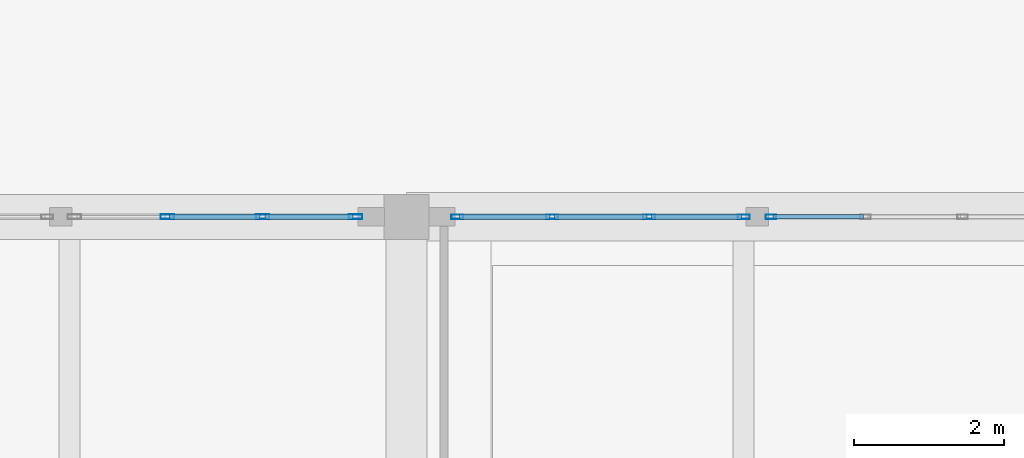
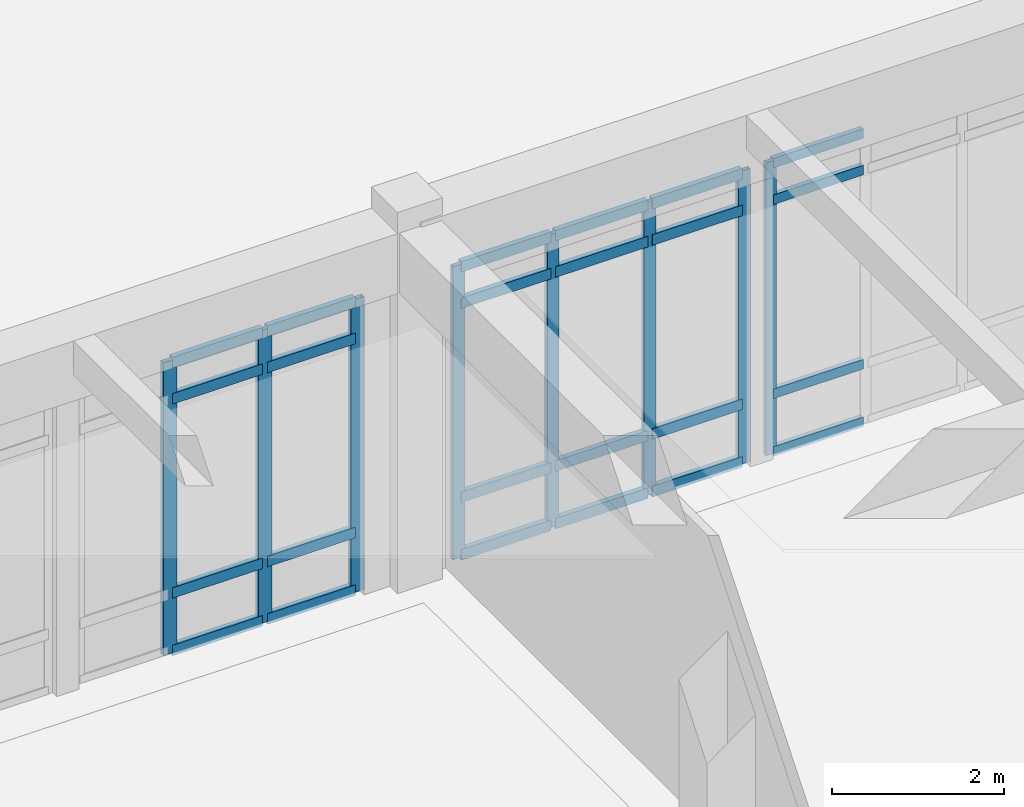
# One storey, part 25 of 138: 32 members, 3 elements without a shape of their own.
"""IFC4 building model written with IfcOpenShell, lengths in metres."""

from ifc_helpers import new_model, si_unit, direction, frame, origin, origin_2d, place, context, subcontext, project, spatial, hollow_rectangle, extrude, material, layer, layer_set, material_profile, profile_set, type_object, element, aggregate, save


model = new_model("IFC4")

# Units and contexts
model_context = context("Model", 3, precision=1e-05, world=origin(), true_north=direction((0.0, 1.0)))
body_context = subcontext(model_context, "Body", "Model", "MODEL_VIEW")
ifc_project = project(units=[si_unit("LENGTHUNIT", "METRE"), si_unit("AREAUNIT", "SQUARE_METRE"), si_unit("VOLUMEUNIT", "CUBIC_METRE"), si_unit("PLANEANGLEUNIT", "RADIAN"), si_unit("MASSUNIT", "GRAM", prefix="KILO")], contexts=[model_context])

# Site, building, storey
site_placement = place(None, origin())
site = spatial("IfcSite", under=ifc_project, at=site_placement, CompositionType="ELEMENT")
building_placement = place(site_placement, origin())
building = spatial("IfcBuilding", under=site, at=building_placement, Name="Fikremerkos Civic Library", CompositionType="ELEMENT")
storey_placement = place(building_placement, origin())
storey = spatial("IfcBuildingStorey", under=building, at=storey_placement, Name="L00", CompositionType="ELEMENT", Elevation=0.0)

# Curtain wall, members
ifc_material = material(Name="Anodized aluminium Frame", Category="aluminium")
ifc_layer_1 = layer(ifc_material, 0.159912109375, Name="Anodized aluminium Frame")
ifc_layer_set_1 = layer_set([ifc_layer_1], Name="Anodized aluminium Frame")
curtain_wall_type_1 = type_object("IfcCurtainWallType", Name="Unitised curtain wall CW-01 3600x3600", PredefinedType="USERDEFINED", material=ifc_layer_set_1)
curtain_wall_1_placement = place(storey_placement, origin())
curtain_wall_1 = element("IfcCurtainWall", 1, at=curtain_wall_1_placement, inside=storey, type_object=curtain_wall_type_1, Name="Unitised curtain wall CW-01 L00 #19", ObjectType="UNITISED CURTAIN WALL", PredefinedType="USERDEFINED")
ifc_material_profile_1 = material_profile(ifc_material, hollow_rectangle(XDim=0.06494140625, YDim=0.179931640625, WallThickness=0.00439453125, at=origin_2d()), Name="ALU 180x65x4.5")
ifc_profile_set_1 = profile_set([ifc_material_profile_1], Name="Anodized aluminium Frame")
member_type_1 = type_object("IfcMemberType", Name="Curtain mullion CWM-01 ALU 180x65x4.5", PredefinedType="MULLION", material=ifc_profile_set_1)
member_1_placement = place(storey_placement, frame((97.006591796875, 48.0, 0.0), z_axis=(0.0, 0.0, 1.0), x_axis=(0.0, 1.0, 0.0)))
member_1 = element("IfcMember", 2, at=member_1_placement, type_object=member_type_1, Name="CW-01 mullion 2", PredefinedType="MULLION", context=body_context, shape_type="SweptSolid", body=[
    extrude(hollow_rectangle(XDim=0.06494140625, YDim=0.179931640625, WallThickness=0.00439453125, at=origin_2d()), origin(), (0.0, 0.0, 1.0), 4.14990234375),
])
member_2_placement = place(storey_placement, frame((98.279296875, 48.0, 0.0), z_axis=(0.0, 0.0, 1.0), x_axis=(0.0, 1.0, 0.0)))
member_2 = element("IfcMember", 3, at=member_2_placement, type_object=member_type_1, Name="CW-01 mullion 3", PredefinedType="MULLION", context=body_context, shape_type="SweptSolid", body=[
    extrude(hollow_rectangle(XDim=0.06494140625, YDim=0.179931640625, WallThickness=0.00439453125, at=origin_2d()), origin(), (0.0, 0.0, 1.0), 4.14990234375),
])
member_3_placement = place(storey_placement, frame((99.51953125, 48.0, 0.0), z_axis=(0.0, 0.0, 1.0), x_axis=(0.0, 1.0, 0.0)))
member_3 = element("IfcMember", 4, at=member_3_placement, type_object=member_type_1, Name="CW-01 mullion 4", PredefinedType="MULLION", context=body_context, shape_type="SweptSolid", body=[
    extrude(hollow_rectangle(XDim=0.06494140625, YDim=0.179931640625, WallThickness=0.00439453125, at=origin_2d()), origin(), (0.0, 0.0, 1.0), 4.14990234375),
])

ifc_layer_2 = layer(ifc_material, 0.159912109375, Name="Anodized aluminium Frame")
ifc_layer_set_2 = layer_set([ifc_layer_2], Name="Anodized aluminium Frame")
curtain_wall_type_2 = type_object("IfcCurtainWallType", Name="Unitised curtain wall CW-02 3900x3600", PredefinedType="USERDEFINED", material=ifc_layer_set_2)
curtain_wall_2_placement = place(storey_placement, origin())
curtain_wall_2 = element("IfcCurtainWall", 5, at=curtain_wall_2_placement, inside=storey, type_object=curtain_wall_type_2, Name="Unitised curtain wall CW-02 L00 #20", ObjectType="UNITISED CURTAIN WALL", PredefinedType="USERDEFINED")
ifc_material_profile_2 = material_profile(ifc_material, hollow_rectangle(XDim=0.06005859375, YDim=0.159912109375, WallThickness=0.00390625, at=origin_2d()), Name="ALU 160x60x4")
ifc_profile_set_2 = profile_set([ifc_material_profile_2], Name="Anodized aluminium Frame")
member_type_2 = type_object("IfcMemberType", Name="Curtain mullion CWM-02 ALU 160x60x4", PredefinedType="MULLION", material=ifc_profile_set_2)
member_4_placement = place(storey_placement, frame((100.8779296875, 48.0, 0.0), z_axis=(0.0, 0.0, 1.0), x_axis=(0.0, 1.0, 0.0)))
member_4 = element("IfcMember", 6, at=member_4_placement, type_object=member_type_2, Name="CW-02 mullion 1", PredefinedType="MULLION", context=body_context, shape_type="SweptSolid", body=[
    extrude(hollow_rectangle(XDim=0.06005859375, YDim=0.159912109375, WallThickness=0.00390625, at=origin_2d()), origin(), (0.0, 0.0, 1.0), 4.14990234375),
])
member_5_placement = place(storey_placement, frame((102.142822265625, 48.0, 0.0), z_axis=(0.0, 0.0, 1.0), x_axis=(0.0, 1.0, 0.0)))
member_5 = element("IfcMember", 7, at=member_5_placement, type_object=member_type_2, Name="CW-02 mullion 2", PredefinedType="MULLION", context=body_context, shape_type="SweptSolid", body=[
    extrude(hollow_rectangle(XDim=0.06005859375, YDim=0.159912109375, WallThickness=0.00390625, at=origin_2d()), origin(), (0.0, 0.0, 1.0), 4.14990234375),
])
member_6_placement = place(storey_placement, frame((103.437744140625, 48.0, 0.0), z_axis=(0.0, 0.0, 1.0), x_axis=(0.0, 1.0, 0.0)))
member_6 = element("IfcMember", 8, at=member_6_placement, type_object=member_type_2, Name="CW-02 mullion 3", PredefinedType="MULLION", context=body_context, shape_type="SweptSolid", body=[
    extrude(hollow_rectangle(XDim=0.06005859375, YDim=0.159912109375, WallThickness=0.00390625, at=origin_2d()), origin(), (0.0, 0.0, 1.0), 4.14990234375),
])
member_7_placement = place(storey_placement, frame((104.70263671875, 48.0, 0.0), z_axis=(0.0, 0.0, 1.0), x_axis=(0.0, 1.0, 0.0)))
member_7 = element("IfcMember", 9, at=member_7_placement, type_object=member_type_2, Name="CW-02 mullion 4", PredefinedType="MULLION", context=body_context, shape_type="SweptSolid", body=[
    extrude(hollow_rectangle(XDim=0.06005859375, YDim=0.159912109375, WallThickness=0.00390625, at=origin_2d()), origin(), (0.0, 0.0, 1.0), 4.14990234375),
])

# Curtain wall, member
ifc_layer_3 = layer(ifc_material, 0.159912109375, Name="Anodized aluminium Frame")
ifc_layer_set_3 = layer_set([ifc_layer_3], Name="Anodized aluminium Frame")
curtain_wall_type_3 = type_object("IfcCurtainWallType", Name="Unitised curtain wall CW-03 4100x3600", PredefinedType="USERDEFINED", material=ifc_layer_set_3)
curtain_wall_3_placement = place(storey_placement, origin())
curtain_wall_3 = element("IfcCurtainWall", 10, at=curtain_wall_3_placement, inside=storey, type_object=curtain_wall_type_3, Name="Unitised curtain wall CW-03 L00 #21", ObjectType="UNITISED CURTAIN WALL", PredefinedType="USERDEFINED")
ifc_material_profile_3 = material_profile(ifc_material, hollow_rectangle(XDim=0.06005859375, YDim=0.139892578125, WallThickness=0.00390625, at=origin_2d()), Name="ALU 140x60x4")
ifc_profile_set_3 = profile_set([ifc_material_profile_3], Name="Anodized aluminium Frame")
member_type_3 = type_object("IfcMemberType", Name="Curtain mullion CWM-03 ALU 140x60x4", PredefinedType="MULLION", material=ifc_profile_set_3)
member_8_placement = place(storey_placement, frame((105.062744140625, 48.0, 0.0), z_axis=(0.0, 0.0, 1.0), x_axis=(0.0, 1.0, 0.0)))
member_8 = element("IfcMember", 11, at=member_8_placement, type_object=member_type_3, Name="CW-03 mullion 1", PredefinedType="MULLION", context=body_context, shape_type="SweptSolid", body=[
    extrude(hollow_rectangle(XDim=0.06005859375, YDim=0.139892578125, WallThickness=0.00390625, at=origin_2d()), origin(), (0.0, 0.0, 1.0), 4.14990234375),
])

# Member
ifc_material_profile_4 = material_profile(ifc_material, hollow_rectangle(XDim=0.070068359375, YDim=0.14990234375, WallThickness=0.00439453125, at=origin_2d()), Name="ALU 150x70x4.5")
ifc_profile_set_4 = profile_set([ifc_material_profile_4], Name="Anodized aluminium Frame")
member_type_4 = type_object("IfcMemberType", Name="Curtain transom CWT-01 ALU 150x70x4.5", PredefinedType="USERDEFINED", material=ifc_profile_set_4)
member_9_placement = place(storey_placement, frame((97.0390625, 48.0, 0.034912109375), z_axis=(1.0, 0.0, 0.0), x_axis=(0.0, 1.0, 0.0)))
member_9 = element("IfcMember", 12, at=member_9_placement, type_object=member_type_4, Name="CW-01 transom 2.1", ObjectType="TRANSOM", PredefinedType="USERDEFINED", context=body_context, shape_type="SweptSolid", body=[
    extrude(hollow_rectangle(XDim=0.070068359375, YDim=0.14990234375, WallThickness=0.00439453125, at=origin_2d()), origin(), (0.0, 0.0, 1.0), 1.207763671875),
])

member_10_placement = place(storey_placement, frame((97.0390625, 48.0, 0.85009765625), z_axis=(1.0, 0.0, 0.0), x_axis=(0.0, 1.0, 0.0)))
member_10 = element("IfcMember", 13, at=member_10_placement, type_object=member_type_4, Name="CW-01 transom 2.2", ObjectType="TRANSOM", PredefinedType="USERDEFINED", context=body_context, shape_type="SweptSolid", body=[
    extrude(hollow_rectangle(XDim=0.070068359375, YDim=0.14990234375, WallThickness=0.00439453125, at=origin_2d()), origin(), (0.0, 0.0, 1.0), 1.207763671875),
])

member_11_placement = place(storey_placement, frame((97.0390625, 48.0, 3.60009765625), z_axis=(1.0, 0.0, 0.0), x_axis=(0.0, 1.0, 0.0)))
member_11 = element("IfcMember", 14, at=member_11_placement, type_object=member_type_4, Name="CW-01 transom 2.3", ObjectType="TRANSOM", PredefinedType="USERDEFINED", context=body_context, shape_type="SweptSolid", body=[
    extrude(hollow_rectangle(XDim=0.070068359375, YDim=0.14990234375, WallThickness=0.00439453125, at=origin_2d()), origin(), (0.0, 0.0, 1.0), 1.207763671875),
])

member_12_placement = place(storey_placement, frame((97.0390625, 48.0, 4.114990234375), z_axis=(1.0, 0.0, 0.0), x_axis=(0.0, 1.0, 0.0)))
member_12 = element("IfcMember", 15, at=member_12_placement, type_object=member_type_4, Name="CW-01 transom 2.4", ObjectType="TRANSOM", PredefinedType="USERDEFINED", context=body_context, shape_type="SweptSolid", body=[
    extrude(hollow_rectangle(XDim=0.070068359375, YDim=0.14990234375, WallThickness=0.00439453125, at=origin_2d()), origin(), (0.0, 0.0, 1.0), 1.207763671875),
])

member_13_placement = place(storey_placement, frame((98.311767578125, 48.0, 0.034912109375), z_axis=(1.0, 0.0, 0.0), x_axis=(0.0, 1.0, 0.0)))
member_13 = element("IfcMember", 16, at=member_13_placement, type_object=member_type_4, Name="CW-01 transom 3.1", ObjectType="TRANSOM", PredefinedType="USERDEFINED", context=body_context, shape_type="SweptSolid", body=[
    extrude(hollow_rectangle(XDim=0.070068359375, YDim=0.14990234375, WallThickness=0.00439453125, at=origin_2d()), origin(), (0.0, 0.0, 1.0), 1.17529296875),
])

member_14_placement = place(storey_placement, frame((98.311767578125, 48.0, 0.85009765625), z_axis=(1.0, 0.0, 0.0), x_axis=(0.0, 1.0, 0.0)))
member_14 = element("IfcMember", 17, at=member_14_placement, type_object=member_type_4, Name="CW-01 transom 3.2", ObjectType="TRANSOM", PredefinedType="USERDEFINED", context=body_context, shape_type="SweptSolid", body=[
    extrude(hollow_rectangle(XDim=0.070068359375, YDim=0.14990234375, WallThickness=0.00439453125, at=origin_2d()), origin(), (0.0, 0.0, 1.0), 1.17529296875),
])

member_15_placement = place(storey_placement, frame((98.311767578125, 48.0, 3.60009765625), z_axis=(1.0, 0.0, 0.0), x_axis=(0.0, 1.0, 0.0)))
member_15 = element("IfcMember", 18, at=member_15_placement, type_object=member_type_4, Name="CW-01 transom 3.3", ObjectType="TRANSOM", PredefinedType="USERDEFINED", context=body_context, shape_type="SweptSolid", body=[
    extrude(hollow_rectangle(XDim=0.070068359375, YDim=0.14990234375, WallThickness=0.00439453125, at=origin_2d()), origin(), (0.0, 0.0, 1.0), 1.17529296875),
])

member_16_placement = place(storey_placement, frame((98.311767578125, 48.0, 4.114990234375), z_axis=(1.0, 0.0, 0.0), x_axis=(0.0, 1.0, 0.0)))
member_16 = element("IfcMember", 19, at=member_16_placement, type_object=member_type_4, Name="CW-01 transom 3.4", ObjectType="TRANSOM", PredefinedType="USERDEFINED", context=body_context, shape_type="SweptSolid", body=[
    extrude(hollow_rectangle(XDim=0.070068359375, YDim=0.14990234375, WallThickness=0.00439453125, at=origin_2d()), origin(), (0.0, 0.0, 1.0), 1.17529296875),
])

aggregate(curtain_wall_1, [member_1, member_2, member_3, member_9, member_10, member_11, member_12, member_13, member_14, member_15, member_16])

member_17_placement = place(storey_placement, frame((100.907958984375, 48.0, 0.034912109375), z_axis=(1.0, 0.0, 0.0), x_axis=(0.0, 1.0, 0.0)))
member_17 = element("IfcMember", 20, at=member_17_placement, type_object=member_type_4, Name="CW-02 transom 1.1", ObjectType="TRANSOM", PredefinedType="USERDEFINED", context=body_context, shape_type="SweptSolid", body=[
    extrude(hollow_rectangle(XDim=0.070068359375, YDim=0.14990234375, WallThickness=0.00439453125, at=origin_2d()), origin(), (0.0, 0.0, 1.0), 1.204833984375),
])

member_18_placement = place(storey_placement, frame((100.907958984375, 48.0, 0.85009765625), z_axis=(1.0, 0.0, 0.0), x_axis=(0.0, 1.0, 0.0)))
member_18 = element("IfcMember", 21, at=member_18_placement, type_object=member_type_4, Name="CW-02 transom 1.2", ObjectType="TRANSOM", PredefinedType="USERDEFINED", context=body_context, shape_type="SweptSolid", body=[
    extrude(hollow_rectangle(XDim=0.070068359375, YDim=0.14990234375, WallThickness=0.00439453125, at=origin_2d()), origin(), (0.0, 0.0, 1.0), 1.204833984375),
])

member_19_placement = place(storey_placement, frame((100.907958984375, 48.0, 3.60009765625), z_axis=(1.0, 0.0, 0.0), x_axis=(0.0, 1.0, 0.0)))
member_19 = element("IfcMember", 22, at=member_19_placement, type_object=member_type_4, Name="CW-02 transom 1.3", ObjectType="TRANSOM", PredefinedType="USERDEFINED", context=body_context, shape_type="SweptSolid", body=[
    extrude(hollow_rectangle(XDim=0.070068359375, YDim=0.14990234375, WallThickness=0.00439453125, at=origin_2d()), origin(), (0.0, 0.0, 1.0), 1.204833984375),
])

member_20_placement = place(storey_placement, frame((100.907958984375, 48.0, 4.114990234375), z_axis=(1.0, 0.0, 0.0), x_axis=(0.0, 1.0, 0.0)))
member_20 = element("IfcMember", 23, at=member_20_placement, type_object=member_type_4, Name="CW-02 transom 1.4", ObjectType="TRANSOM", PredefinedType="USERDEFINED", context=body_context, shape_type="SweptSolid", body=[
    extrude(hollow_rectangle(XDim=0.070068359375, YDim=0.14990234375, WallThickness=0.00439453125, at=origin_2d()), origin(), (0.0, 0.0, 1.0), 1.204833984375),
])

member_21_placement = place(storey_placement, frame((102.1728515625, 48.0, 0.034912109375), z_axis=(1.0, 0.0, 0.0), x_axis=(0.0, 1.0, 0.0)))
member_21 = element("IfcMember", 24, at=member_21_placement, type_object=member_type_4, Name="CW-02 transom 2.1", ObjectType="TRANSOM", PredefinedType="USERDEFINED", context=body_context, shape_type="SweptSolid", body=[
    extrude(hollow_rectangle(XDim=0.070068359375, YDim=0.14990234375, WallThickness=0.00439453125, at=origin_2d()), origin(), (0.0, 0.0, 1.0), 1.23486328125),
])

member_22_placement = place(storey_placement, frame((102.1728515625, 48.0, 0.85009765625), z_axis=(1.0, 0.0, 0.0), x_axis=(0.0, 1.0, 0.0)))
member_22 = element("IfcMember", 25, at=member_22_placement, type_object=member_type_4, Name="CW-02 transom 2.2", ObjectType="TRANSOM", PredefinedType="USERDEFINED", context=body_context, shape_type="SweptSolid", body=[
    extrude(hollow_rectangle(XDim=0.070068359375, YDim=0.14990234375, WallThickness=0.00439453125, at=origin_2d()), origin(), (0.0, 0.0, 1.0), 1.23486328125),
])

member_23_placement = place(storey_placement, frame((102.1728515625, 48.0, 3.60009765625), z_axis=(1.0, 0.0, 0.0), x_axis=(0.0, 1.0, 0.0)))
member_23 = element("IfcMember", 26, at=member_23_placement, type_object=member_type_4, Name="CW-02 transom 2.3", ObjectType="TRANSOM", PredefinedType="USERDEFINED", context=body_context, shape_type="SweptSolid", body=[
    extrude(hollow_rectangle(XDim=0.070068359375, YDim=0.14990234375, WallThickness=0.00439453125, at=origin_2d()), origin(), (0.0, 0.0, 1.0), 1.23486328125),
])

member_24_placement = place(storey_placement, frame((102.1728515625, 48.0, 4.114990234375), z_axis=(1.0, 0.0, 0.0), x_axis=(0.0, 1.0, 0.0)))
member_24 = element("IfcMember", 27, at=member_24_placement, type_object=member_type_4, Name="CW-02 transom 2.4", ObjectType="TRANSOM", PredefinedType="USERDEFINED", context=body_context, shape_type="SweptSolid", body=[
    extrude(hollow_rectangle(XDim=0.070068359375, YDim=0.14990234375, WallThickness=0.00439453125, at=origin_2d()), origin(), (0.0, 0.0, 1.0), 1.23486328125),
])

member_25_placement = place(storey_placement, frame((103.4677734375, 48.0, 0.034912109375), z_axis=(1.0, 0.0, 0.0), x_axis=(0.0, 1.0, 0.0)))
member_25 = element("IfcMember", 28, at=member_25_placement, type_object=member_type_4, Name="CW-02 transom 3.1", ObjectType="TRANSOM", PredefinedType="USERDEFINED", context=body_context, shape_type="SweptSolid", body=[
    extrude(hollow_rectangle(XDim=0.070068359375, YDim=0.14990234375, WallThickness=0.00439453125, at=origin_2d()), origin(), (0.0, 0.0, 1.0), 1.204833984375),
])

member_26_placement = place(storey_placement, frame((103.4677734375, 48.0, 0.85009765625), z_axis=(1.0, 0.0, 0.0), x_axis=(0.0, 1.0, 0.0)))
member_26 = element("IfcMember", 29, at=member_26_placement, type_object=member_type_4, Name="CW-02 transom 3.2", ObjectType="TRANSOM", PredefinedType="USERDEFINED", context=body_context, shape_type="SweptSolid", body=[
    extrude(hollow_rectangle(XDim=0.070068359375, YDim=0.14990234375, WallThickness=0.00439453125, at=origin_2d()), origin(), (0.0, 0.0, 1.0), 1.204833984375),
])

member_27_placement = place(storey_placement, frame((103.4677734375, 48.0, 3.60009765625), z_axis=(1.0, 0.0, 0.0), x_axis=(0.0, 1.0, 0.0)))
member_27 = element("IfcMember", 30, at=member_27_placement, type_object=member_type_4, Name="CW-02 transom 3.3", ObjectType="TRANSOM", PredefinedType="USERDEFINED", context=body_context, shape_type="SweptSolid", body=[
    extrude(hollow_rectangle(XDim=0.070068359375, YDim=0.14990234375, WallThickness=0.00439453125, at=origin_2d()), origin(), (0.0, 0.0, 1.0), 1.204833984375),
])

member_28_placement = place(storey_placement, frame((103.4677734375, 48.0, 4.114990234375), z_axis=(1.0, 0.0, 0.0), x_axis=(0.0, 1.0, 0.0)))
member_28 = element("IfcMember", 31, at=member_28_placement, type_object=member_type_4, Name="CW-02 transom 3.4", ObjectType="TRANSOM", PredefinedType="USERDEFINED", context=body_context, shape_type="SweptSolid", body=[
    extrude(hollow_rectangle(XDim=0.070068359375, YDim=0.14990234375, WallThickness=0.00439453125, at=origin_2d()), origin(), (0.0, 0.0, 1.0), 1.204833984375),
])

aggregate(curtain_wall_2, [member_4, member_5, member_6, member_7, member_17, member_18, member_19, member_20, member_21, member_22, member_23, member_24, member_25, member_26, member_27, member_28])

ifc_material_profile_5 = material_profile(ifc_material, hollow_rectangle(XDim=0.06494140625, YDim=0.135009765625, WallThickness=0.00439453125, at=origin_2d()), Name="ALU 135x65x4.5")
ifc_profile_set_5 = profile_set([ifc_material_profile_5], Name="Anodized aluminium Frame")
member_type_5 = type_object("IfcMemberType", Name="Curtain transom CWT-02 ALU 135x65x4.5", PredefinedType="USERDEFINED", material=ifc_profile_set_5)
member_29_placement = place(storey_placement, frame((105.0927734375, 48.0, 0.032470703125), z_axis=(1.0, 0.0, 0.0), x_axis=(0.0, 1.0, 0.0)))
member_29 = element("IfcMember", 32, at=member_29_placement, type_object=member_type_5, Name="CW-03 transom 1.1", ObjectType="TRANSOM", PredefinedType="USERDEFINED", context=body_context, shape_type="SweptSolid", body=[
    extrude(hollow_rectangle(XDim=0.06494140625, YDim=0.135009765625, WallThickness=0.00439453125, at=origin_2d()), origin(), (0.0, 0.0, 1.0), 1.204833984375),
])

member_30_placement = place(storey_placement, frame((105.0927734375, 48.0, 0.85009765625), z_axis=(1.0, 0.0, 0.0), x_axis=(0.0, 1.0, 0.0)))
member_30 = element("IfcMember", 33, at=member_30_placement, type_object=member_type_5, Name="CW-03 transom 1.2", ObjectType="TRANSOM", PredefinedType="USERDEFINED", context=body_context, shape_type="SweptSolid", body=[
    extrude(hollow_rectangle(XDim=0.06494140625, YDim=0.135009765625, WallThickness=0.00439453125, at=origin_2d()), origin(), (0.0, 0.0, 1.0), 1.204833984375),
])

member_31_placement = place(storey_placement, frame((105.0927734375, 48.0, 3.60009765625), z_axis=(1.0, 0.0, 0.0), x_axis=(0.0, 1.0, 0.0)))
member_31 = element("IfcMember", 34, at=member_31_placement, type_object=member_type_5, Name="CW-03 transom 1.3", ObjectType="TRANSOM", PredefinedType="USERDEFINED", context=body_context, shape_type="SweptSolid", body=[
    extrude(hollow_rectangle(XDim=0.06494140625, YDim=0.135009765625, WallThickness=0.00439453125, at=origin_2d()), origin(), (0.0, 0.0, 1.0), 1.204833984375),
])

member_32_placement = place(storey_placement, frame((105.0927734375, 48.0, 4.117431640625), z_axis=(1.0, 0.0, 0.0), x_axis=(0.0, 1.0, 0.0)))
member_32 = element("IfcMember", 35, at=member_32_placement, type_object=member_type_5, Name="CW-03 transom 1.4", ObjectType="TRANSOM", PredefinedType="USERDEFINED", context=body_context, shape_type="SweptSolid", body=[
    extrude(hollow_rectangle(XDim=0.06494140625, YDim=0.135009765625, WallThickness=0.00439453125, at=origin_2d()), origin(), (0.0, 0.0, 1.0), 1.204833984375),
])

aggregate(curtain_wall_3, [member_8, member_29, member_30, member_31, member_32])

save(model, "model.ifc")
